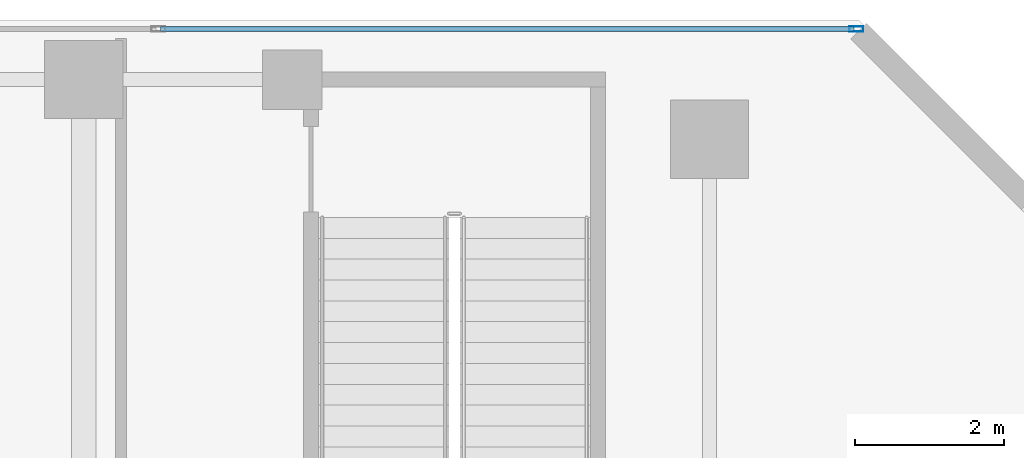
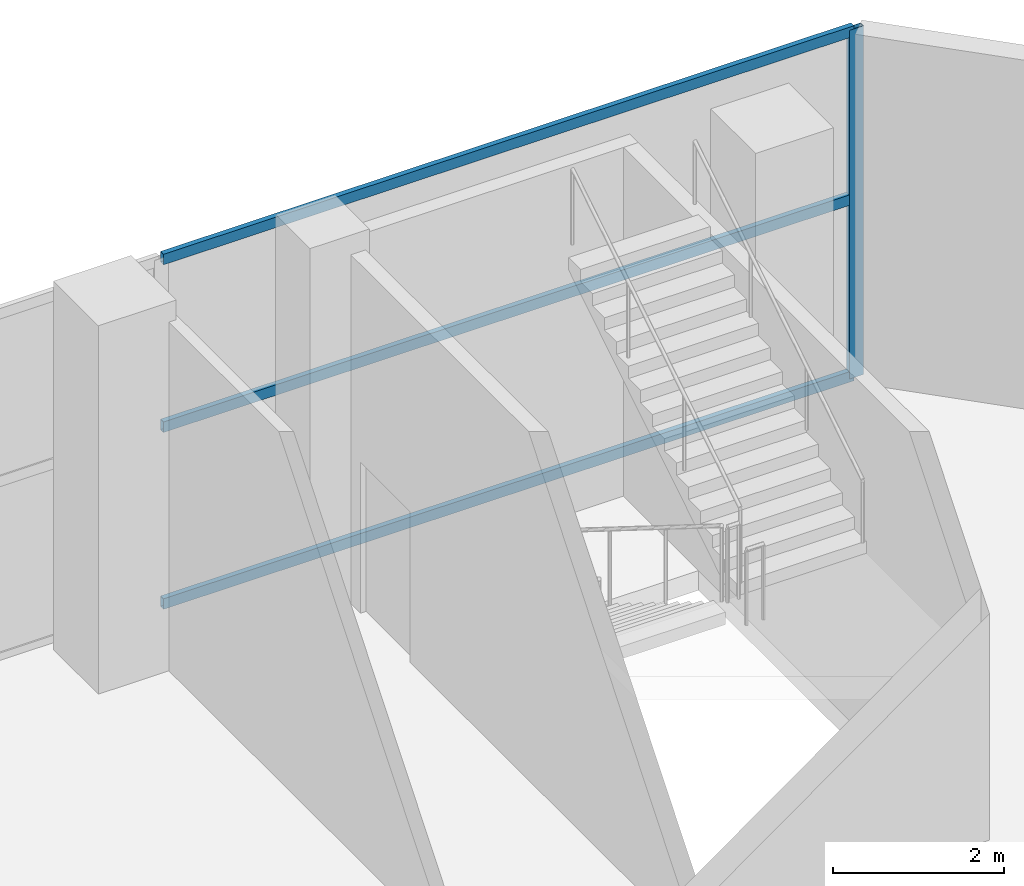
# One storey, part 30 of 40: 4 members, 1 element without a shape of its own.
"""IFC4 building model written with IfcOpenShell, lengths in metres."""

from ifc_helpers import new_model, si_unit, direction, frame, origin, origin_2d, place, context, subcontext, project, spatial, hollow_rectangle, extrude, material, layer, layer_set, material_profile, profile_set, type_object, element, aggregate, save


model = new_model("IFC4")

# Units and contexts
model_context = context("Model", 3, precision=1e-05, world=origin(), true_north=direction((0.0, 1.0)))
body_context = subcontext(model_context, "Body", "Model", "MODEL_VIEW")
ifc_project = project(units=[si_unit("LENGTHUNIT", "METRE"), si_unit("AREAUNIT", "SQUARE_METRE"), si_unit("VOLUMEUNIT", "CUBIC_METRE"), si_unit("PLANEANGLEUNIT", "RADIAN"), si_unit("MASSUNIT", "GRAM", prefix="KILO")], contexts=[model_context])

# Site, building, storey
site_placement = place(None, origin())
site = spatial("IfcSite", under=ifc_project, at=site_placement, CompositionType="ELEMENT")
building_placement = place(site_placement, origin())
building = spatial("IfcBuilding", under=site, at=building_placement, Name="Maruvema Waterfront Hotel and Observation Tower", CompositionType="ELEMENT")
storey_placement = place(building_placement, frame((0.0, 0.0, 5.60009765625)))
storey = spatial("IfcBuildingStorey", under=building, at=storey_placement, Name="L01", CompositionType="ELEMENT", Elevation=5.60009765625)

# Curtain wall, members
ifc_material_1 = material(Name="Anodised bronze aluminium and solar-control low-E IGU", Category="aluminium")
ifc_layer = layer(ifc_material_1, 0.159912109375, Name="Podium Waterfront Storefront Curtain Wall System CW-01")
ifc_layer_set = layer_set([ifc_layer], Name="Anodised bronze aluminium and solar-control low-E IGU")
curtain_wall_type = type_object("IfcCurtainWallType", Name="Podium Waterfront Storefront Curtain Wall System CW-01", PredefinedType="USERDEFINED", material=ifc_layer_set)
curtain_wall_placement = place(storey_placement, origin())
curtain_wall = element("IfcCurtainWall", 1, at=curtain_wall_placement, inside=storey, type_object=curtain_wall_type, Name="L01 Curtain Wall CW-L01-NE", ObjectType="UNITISED CURTAIN WALL", PredefinedType="USERDEFINED")
ifc_material_2 = material(Name="Anodised architectural bronze aluminium", Category="aluminium")
ifc_material_profile_1 = material_profile(ifc_material_2, hollow_rectangle(XDim=0.070068359375, YDim=0.14990234375, WallThickness=0.00390625, at=origin_2d()), Name="ALU-T70x150")
ifc_profile_set_1 = profile_set([ifc_material_profile_1], Name="Anodised architectural bronze aluminium")
member_type_1 = type_object("IfcMemberType", Name="Curtain Wall Horizontal Transom ALU-T70x150", PredefinedType="USERDEFINED", material=ifc_profile_set_1)
member_1_placement = place(storey_placement, frame((69.139892578125, 53.8798828125, 0.02978515625), z_axis=(-1.0, 0.0, 0.0), x_axis=(0.0, -1.0, 0.0)))
member_1 = element("IfcMember", 2, at=member_1_placement, type_object=member_type_1, Name="CW-01 transom 1.1", ObjectType="TRANSOM", PredefinedType="USERDEFINED", context=body_context, shape_type="SweptSolid", body=[
    extrude(hollow_rectangle(XDim=0.070068359375, YDim=0.14990234375, WallThickness=0.00390625, at=origin_2d()), origin(), (0.0, 0.0, 1.0), 9.309814453125),
])
member_2_placement = place(storey_placement, frame((69.139892578125, 53.8798828125, 2.5498046875), z_axis=(-1.0, 0.0, 0.0), x_axis=(0.0, -1.0, 0.0)))
member_2 = element("IfcMember", 3, at=member_2_placement, type_object=member_type_1, Name="CW-01 transom 1.2", ObjectType="TRANSOM", PredefinedType="USERDEFINED", context=body_context, shape_type="SweptSolid", body=[
    extrude(hollow_rectangle(XDim=0.070068359375, YDim=0.14990234375, WallThickness=0.00390625, at=origin_2d()), origin(), (0.0, 0.0, 1.0), 9.309814453125),
])
member_3_placement = place(storey_placement, frame((69.139892578125, 53.8798828125, 4.93994140625), z_axis=(-1.0, 0.0, 0.0), x_axis=(0.0, -1.0, 0.0)))
member_3 = element("IfcMember", 4, at=member_3_placement, type_object=member_type_1, Name="CW-01 transom 1.3", ObjectType="TRANSOM", PredefinedType="USERDEFINED", context=body_context, shape_type="SweptSolid", body=[
    extrude(hollow_rectangle(XDim=0.070068359375, YDim=0.14990234375, WallThickness=0.00390625, at=origin_2d()), origin(), (0.0, 0.0, 1.0), 9.309814453125),
])
ifc_material_3 = material(Name="Anodised architectural bronze aluminium", Category="aluminium")
ifc_material_profile_2 = material_profile(ifc_material_3, hollow_rectangle(XDim=0.070068359375, YDim=0.18994140625, WallThickness=0.00390625, at=origin_2d()), Name="ALU-M70x190")
ifc_profile_set_2 = profile_set([ifc_material_profile_2], Name="Anodised architectural bronze aluminium")
member_type_2 = type_object("IfcMemberType", Name="Podium Storefront Heavy Mullion ALU-M70x190", PredefinedType="MULLION", material=ifc_profile_set_2)
member_4_placement = place(storey_placement, frame((69.169921875, 53.8798828125, 0.0), z_axis=(0.0, 0.0, 1.0), x_axis=(0.0, -1.0, 0.0)))
member_4 = element("IfcMember", 5, at=member_4_placement, type_object=member_type_2, Name="CW-01 mullion 1", PredefinedType="MULLION", context=body_context, shape_type="SweptSolid", body=[
    extrude(hollow_rectangle(XDim=0.070068359375, YDim=0.18994140625, WallThickness=0.00390625, at=origin_2d()), origin(), (0.0, 0.0, 1.0), 4.969970703125),
])
aggregate(curtain_wall, [member_4, member_1, member_2, member_3])

save(model, "model.ifc")
